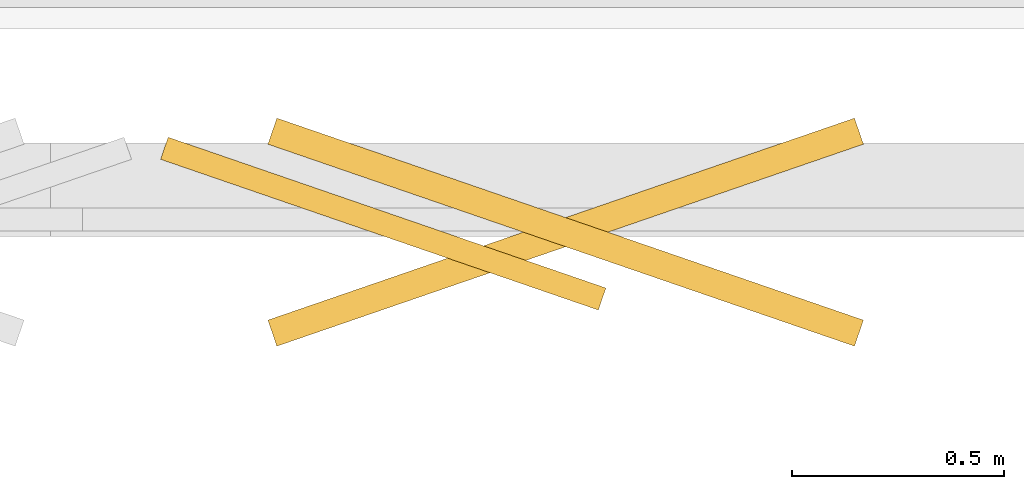
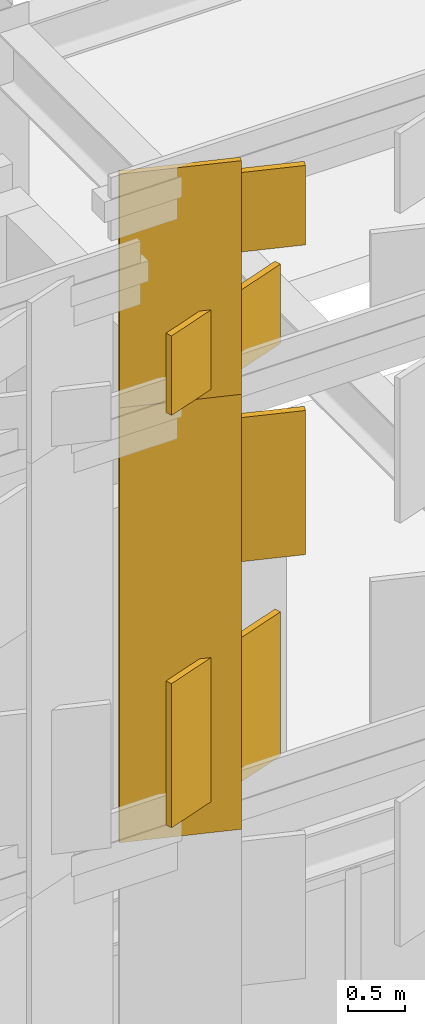
# One storey, part 229 of 239: 6 coverings.
"""IFC4 building model written with IfcOpenShell, lengths in metres."""

from ifc_helpers import new_model, si_unit, direction, frame, origin, origin_2d, place, context, subcontext, project, spatial, rectangle, extrude, material, layer, layer_set, type_object, element, save


model = new_model("IFC4")

# Units and contexts
model_context = context("Model", 3, precision=1e-05, world=origin(), true_north=direction((0.0, 1.0)))
body_context = subcontext(model_context, "Body", "Model", "MODEL_VIEW")
ifc_project = project(units=[si_unit("LENGTHUNIT", "METRE"), si_unit("AREAUNIT", "SQUARE_METRE"), si_unit("VOLUMEUNIT", "CUBIC_METRE"), si_unit("PLANEANGLEUNIT", "RADIAN"), si_unit("MASSUNIT", "GRAM", prefix="KILO")], contexts=[model_context])

# Site, building, storey
site_placement = place(None, origin())
site = spatial("IfcSite", under=ifc_project, at=site_placement, CompositionType="ELEMENT")
building_placement = place(site_placement, origin())
building = spatial("IfcBuilding", under=site, at=building_placement, Name="Kaldris Quays Convention Centre", CompositionType="ELEMENT")
storey_placement = place(building_placement, frame((0.0, 0.0, 11.39990234375)))
storey = spatial("IfcBuildingStorey", under=building, at=storey_placement, Name="L02", CompositionType="ELEMENT", Elevation=11.39990234375)

# Coverings
ifc_material = material(Name="Alabaster white star-pierced anodized aluminium panel", Category="aluminium")
ifc_layer = layer(ifc_material, 0.044921875)
ifc_layer_set = layer_set([ifc_layer], Name="Alabaster white star-pierced anodized aluminium panel")
covering_type = type_object("IfcCoveringType", Name="STAR PIERCED WHITE FOLDED SCREEN CL01", PredefinedType="CLADDING", material=ifc_layer_set)
covering_1_placement = place(storey_placement, frame((178.458984375, 55.340087890625, 6.0400390625), z_axis=(0.0, 0.0, 1.0), x_axis=(0.945518575599, -0.325568154457, 0.0)))
element("IfcCovering", 1, at=covering_1_placement, inside=storey, type_object=covering_type, Name="V2S Folded White Screen Stile 2508", PredefinedType="CLADDING", context=body_context, shape_type="SweptSolid", body=[
    extrude(rectangle(XDim=1.091064453125, YDim=0.054931640625, at=origin_2d()), origin(), (0.0, 0.0, 1.0), 4.669921875),
])
for number, where, z_axis, x_axis, name in (
    (2, (178.888916015625, 55.320068359375, 6.373046875), (0.0, 0.0, 1.0), (0.945518575599, 0.325568154457, 0.0), "V2S Carved Star Corner Facet 2510"),
    (3, (178.888916015625, 55.320068359375, 8.830078125), (0.0, 0.0, 1.0), (0.945518575599, -0.325568154457, 0.0), "V2S Carved Star Corner Facet 2511"),
):
    element("IfcCovering", number, at=place(storey_placement, frame(where, z_axis=z_axis, x_axis=x_axis)), inside=storey, type_object=covering_type, Name=name, PredefinedType="CLADDING", context=body_context, shape_type="SweptSolid", body=[
        extrude(rectangle(XDim=1.4619140625, YDim=0.06494140625, at=origin_2d()), origin(), (0.0, 0.0, 1.0), 1.547119140625),
    ])
covering_2_placement = place(storey_placement, frame((178.458984375, 55.340087890625, 10.590087890625), z_axis=(0.0, 0.0, 1.0), x_axis=(0.945518575599, -0.325568154457, 0.0)))
element("IfcCovering", 4, at=covering_2_placement, inside=storey, type_object=covering_type, Name="V2S Folded White Screen Stile 2514", PredefinedType="CLADDING", context=body_context, shape_type="SweptSolid", body=[
    extrude(rectangle(XDim=1.091064453125, YDim=0.054931640625, at=origin_2d()), origin(), (0.0, 0.0, 1.0), 2.62890625),
])
for number, where, z_axis, x_axis, name in (
    (5, (178.888916015625, 55.320068359375, 10.80078125), (0.0, 0.0, 1.0), (0.945518575599, 0.325568154457, 0.0), "V2S Carved Star Corner Facet 2516"),
    (6, (178.888916015625, 55.320068359375, 12.155517578125), (0.0, 0.0, 1.0), (0.945518575599, -0.325568154457, 0.0), "V2S Carved Star Corner Facet 2517"),
):
    element("IfcCovering", number, at=place(storey_placement, frame(where, z_axis=z_axis, x_axis=x_axis)), inside=storey, type_object=covering_type, Name=name, PredefinedType="CLADDING", context=body_context, shape_type="SweptSolid", body=[
        extrude(rectangle(XDim=1.4619140625, YDim=0.06494140625, at=origin_2d()), origin(), (0.0, 0.0, 1.0), 0.85302734375),
    ])

save(model, "model.ifc")
